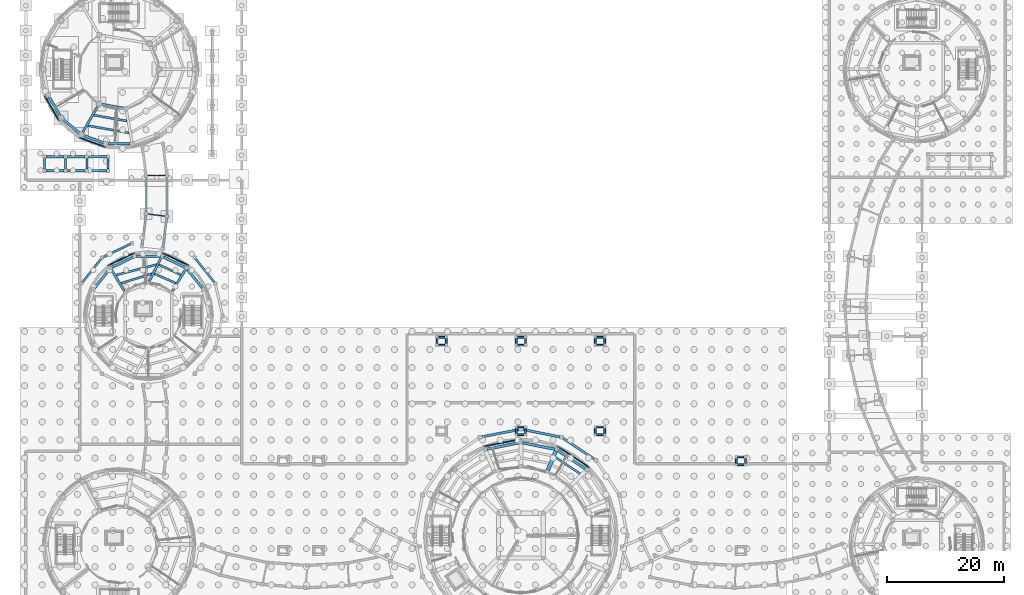
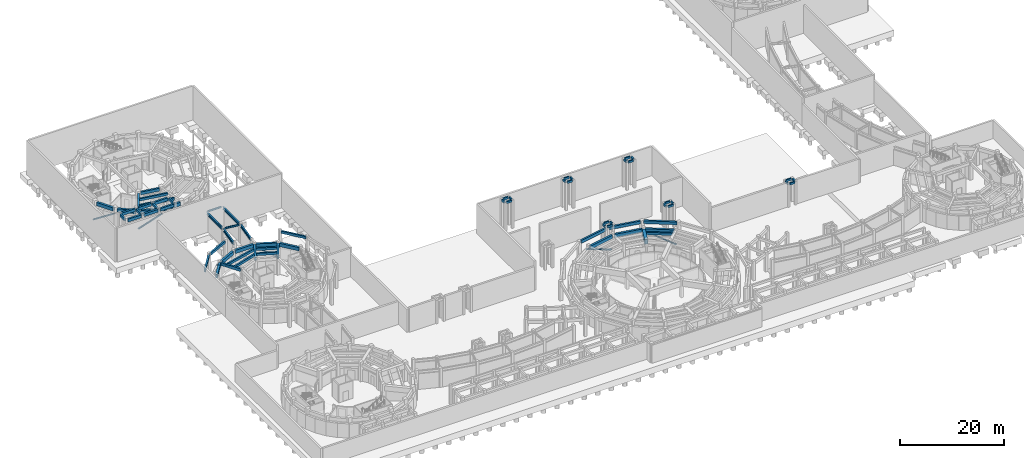
# One storey, part 18 of 57: 71 beams, 6 members.
"""IFC4 building model written with IfcOpenShell, lengths in metres."""

from ifc_helpers import new_model, si_unit, direction, frame, origin, origin_2d, place, context, subcontext, project, spatial, rectangle, i_section, extrude, material, material_profile, profile_set, type_object, element, save


model = new_model("IFC4")

# Units and contexts
model_context = context("Model", 3, precision=1e-05, world=origin(), true_north=direction((0.0, 1.0)))
body_context = subcontext(model_context, "Body", "Model", "MODEL_VIEW")
ifc_project = project(units=[si_unit("LENGTHUNIT", "METRE"), si_unit("AREAUNIT", "SQUARE_METRE"), si_unit("VOLUMEUNIT", "CUBIC_METRE"), si_unit("PLANEANGLEUNIT", "RADIAN"), si_unit("MASSUNIT", "GRAM", prefix="KILO")], contexts=[model_context])

# Site, building, storey
site_placement = place(None, origin())
site = spatial("IfcSite", under=ifc_project, at=site_placement, CompositionType="ELEMENT")
building_placement = place(site_placement, origin())
building = spatial("IfcBuilding", under=site, at=building_placement, Name="Aldenvaro Health Centre", CompositionType="ELEMENT")
storey_placement = place(building_placement, frame((0.0, 0.0, -4.550048828125)))
storey = spatial("IfcBuildingStorey", under=building, at=storey_placement, Name="B1", CompositionType="ELEMENT", Elevation=-4.550048828125)

# Beams
ifc_material_1 = material(Name="Concrete f'c 40 MPa", Category="concrete")
ifc_material_profile_1 = material_profile(ifc_material_1, rectangle(XDim=0.300048828125, YDim=0.47998046875, at=origin_2d()), Name="RC 300x480", Category="concrete")
ifc_profile_set_1 = profile_set([ifc_material_profile_1], Name="Concrete f'c 40 MPa")
beam_type_1 = type_object("IfcBeamType", Name="BM-RC-480", PredefinedType="LINTEL", material=ifc_profile_set_1)
for number, where, z_axis, x_axis, name in (
    (1, (123.925048828125, 32.10009765625, 5.239990234375), (1.0, 0.0, 0.0), (0.0, 1.0, 0.0), "Ramp 3 Landing Beam 1"),
    (2, (125.074951171875, 33.39990234375, 5.239990234375), (-1.0, 0.0, 0.0), (0.0, -1.0, 0.0), "Ramp 3 Landing Beam 2"),
):
    element("IfcBeam", number, at=place(storey_placement, frame(where, z_axis=z_axis, x_axis=x_axis)), inside=storey, type_object=beam_type_1, Name=name, PredefinedType="LINTEL", context=body_context, shape_type="SweptSolid", body=[
        extrude(rectangle(XDim=0.300048828125, YDim=0.47998046875, at=origin_2d()), origin(), (0.0, 0.0, 1.0), 1.14990234375),
    ])
for number, where, z_axis, x_axis, name in (
    (3, (123.699951171875, 32.324951171875, 5.239990234375), (0.0, 1.0, 0.0), (-1.0, 0.0, 0.0), "Ramp 3 Landing Beam 3"),
    (4, (125.300048828125, 32.324951171875, 5.239990234375), (0.0, 1.0, 0.0), (-1.0, 0.0, 0.0), "Ramp 3 Landing Beam 4"),
):
    element("IfcBeam", number, at=place(storey_placement, frame(where, z_axis=z_axis, x_axis=x_axis)), inside=storey, type_object=beam_type_1, Name=name, PredefinedType="LINTEL", context=body_context, shape_type="SweptSolid", body=[
        extrude(rectangle(XDim=0.300048828125, YDim=0.47998046875, at=origin_2d()), origin(), (0.0, 0.0, 1.0), 0.85009765625),
    ])
for number, where, z_axis, x_axis, name in (
    (5, (72.925048828125, 52.5, 6.39013671875), (1.0, 0.0, 0.0), (0.0, 1.0, 0.0), "Ramp 4 Landing Beam 1"),
    (6, (74.074951171875, 53.800048828125, 6.39013671875), (-1.0, 0.0, 0.0), (0.0, -1.0, 0.0), "Ramp 4 Landing Beam 2"),
):
    element("IfcBeam", number, at=place(storey_placement, frame(where, z_axis=z_axis, x_axis=x_axis)), inside=storey, type_object=beam_type_1, Name=name, PredefinedType="LINTEL", context=body_context, shape_type="SweptSolid", body=[
        extrude(rectangle(XDim=0.300048828125, YDim=0.47998046875, at=origin_2d()), origin(), (0.0, 0.0, 1.0), 1.14990234375),
    ])
for number, where, z_axis, x_axis, name in (
    (7, (72.699951171875, 52.72509765625, 6.39013671875), (0.0, 1.0, 0.0), (-1.0, 0.0, 0.0), "Ramp 4 Landing Beam 3"),
    (8, (74.300048828125, 52.72509765625, 6.39013671875), (0.0, 1.0, 0.0), (-1.0, 0.0, 0.0), "Ramp 4 Landing Beam 4"),
):
    element("IfcBeam", number, at=place(storey_placement, frame(where, z_axis=z_axis, x_axis=x_axis)), inside=storey, type_object=beam_type_1, Name=name, PredefinedType="LINTEL", context=body_context, shape_type="SweptSolid", body=[
        extrude(rectangle(XDim=0.300048828125, YDim=0.47998046875, at=origin_2d()), origin(), (0.0, 0.0, 1.0), 0.849853515625),
    ])
for number, where, z_axis, x_axis, name in (
    (9, (99.925048828125, 52.5, 6.39013671875), (1.0, 0.0, 0.0), (0.0, 1.0, 0.0), "Ramp 5 Landing Beam 1"),
    (10, (101.074951171875, 53.800048828125, 6.39013671875), (-1.0, 0.0, 0.0), (0.0, -1.0, 0.0), "Ramp 5 Landing Beam 2"),
):
    element("IfcBeam", number, at=place(storey_placement, frame(where, z_axis=z_axis, x_axis=x_axis)), inside=storey, type_object=beam_type_1, Name=name, PredefinedType="LINTEL", context=body_context, shape_type="SweptSolid", body=[
        extrude(rectangle(XDim=0.300048828125, YDim=0.47998046875, at=origin_2d()), origin(), (0.0, 0.0, 1.0), 1.14990234375),
    ])
for number, where, z_axis, x_axis, name in (
    (11, (99.699951171875, 52.72509765625, 6.39013671875), (0.0, 1.0, 0.0), (-1.0, 0.0, 0.0), "Ramp 5 Landing Beam 3"),
    (12, (101.300048828125, 52.72509765625, 6.39013671875), (0.0, 1.0, 0.0), (-1.0, 0.0, 0.0), "Ramp 5 Landing Beam 4"),
):
    element("IfcBeam", number, at=place(storey_placement, frame(where, z_axis=z_axis, x_axis=x_axis)), inside=storey, type_object=beam_type_1, Name=name, PredefinedType="LINTEL", context=body_context, shape_type="SweptSolid", body=[
        extrude(rectangle(XDim=0.300048828125, YDim=0.47998046875, at=origin_2d()), origin(), (0.0, 0.0, 1.0), 0.849853515625),
    ])
for number, where, z_axis, x_axis, name in (
    (13, (99.925048828125, 37.199951171875, 5.239990234375), (1.0, 0.0, 0.0), (0.0, 1.0, 0.0), "Ramp 5 Departure Beam 1"),
    (14, (101.074951171875, 38.5, 5.239990234375), (-1.0, 0.0, 0.0), (0.0, -1.0, 0.0), "Ramp 5 Departure Beam 2"),
):
    element("IfcBeam", number, at=place(storey_placement, frame(where, z_axis=z_axis, x_axis=x_axis)), inside=storey, type_object=beam_type_1, Name=name, PredefinedType="LINTEL", context=body_context, shape_type="SweptSolid", body=[
        extrude(rectangle(XDim=0.300048828125, YDim=0.47998046875, at=origin_2d()), origin(), (0.0, 0.0, 1.0), 1.14990234375),
    ])
for number, where, z_axis, x_axis, name in (
    (15, (99.699951171875, 37.425048828125, 5.239990234375), (0.0, 1.0, 0.0), (-1.0, 0.0, 0.0), "Ramp 5 Departure Beam 3"),
    (16, (101.300048828125, 37.425048828125, 5.239990234375), (0.0, 1.0, 0.0), (-1.0, 0.0, 0.0), "Ramp 5 Departure Beam 4"),
):
    element("IfcBeam", number, at=place(storey_placement, frame(where, z_axis=z_axis, x_axis=x_axis)), inside=storey, type_object=beam_type_1, Name=name, PredefinedType="LINTEL", context=body_context, shape_type="SweptSolid", body=[
        extrude(rectangle(XDim=0.300048828125, YDim=0.47998046875, at=origin_2d()), origin(), (0.0, 0.0, 1.0), 0.849853515625),
    ])
for number, where, z_axis, x_axis, name in (
    (17, (86.425048828125, 52.5, 6.39013671875), (1.0, 0.0, 0.0), (0.0, 1.0, 0.0), "Ramp 6 Landing Beam 1"),
    (18, (87.574951171875, 53.800048828125, 6.39013671875), (-1.0, 0.0, 0.0), (0.0, -1.0, 0.0), "Ramp 6 Landing Beam 2"),
):
    element("IfcBeam", number, at=place(storey_placement, frame(where, z_axis=z_axis, x_axis=x_axis)), inside=storey, type_object=beam_type_1, Name=name, PredefinedType="LINTEL", context=body_context, shape_type="SweptSolid", body=[
        extrude(rectangle(XDim=0.300048828125, YDim=0.47998046875, at=origin_2d()), origin(), (0.0, 0.0, 1.0), 1.14990234375),
    ])
for number, where, z_axis, x_axis, name in (
    (19, (86.199951171875, 52.72509765625, 6.39013671875), (0.0, 1.0, 0.0), (-1.0, 0.0, 0.0), "Ramp 6 Landing Beam 3"),
    (20, (87.800048828125, 52.72509765625, 6.39013671875), (0.0, 1.0, 0.0), (-1.0, 0.0, 0.0), "Ramp 6 Landing Beam 4"),
):
    element("IfcBeam", number, at=place(storey_placement, frame(where, z_axis=z_axis, x_axis=x_axis)), inside=storey, type_object=beam_type_1, Name=name, PredefinedType="LINTEL", context=body_context, shape_type="SweptSolid", body=[
        extrude(rectangle(XDim=0.300048828125, YDim=0.47998046875, at=origin_2d()), origin(), (0.0, 0.0, 1.0), 0.849853515625),
    ])
for number, where, z_axis, x_axis, name in (
    (21, (86.425048828125, 37.199951171875, 5.239990234375), (1.0, 0.0, 0.0), (0.0, 1.0, 0.0), "Ramp 6 Departure Beam 1"),
    (22, (87.574951171875, 38.5, 5.239990234375), (-1.0, 0.0, 0.0), (0.0, -1.0, 0.0), "Ramp 6 Departure Beam 2"),
):
    element("IfcBeam", number, at=place(storey_placement, frame(where, z_axis=z_axis, x_axis=x_axis)), inside=storey, type_object=beam_type_1, Name=name, PredefinedType="LINTEL", context=body_context, shape_type="SweptSolid", body=[
        extrude(rectangle(XDim=0.300048828125, YDim=0.47998046875, at=origin_2d()), origin(), (0.0, 0.0, 1.0), 1.14990234375),
    ])
for number, where, z_axis, x_axis, name in (
    (23, (86.199951171875, 37.425048828125, 5.239990234375), (0.0, 1.0, 0.0), (-1.0, 0.0, 0.0), "Ramp 6 Departure Beam 3"),
    (24, (87.800048828125, 37.425048828125, 5.239990234375), (0.0, 1.0, 0.0), (-1.0, 0.0, 0.0), "Ramp 6 Departure Beam 4"),
):
    element("IfcBeam", number, at=place(storey_placement, frame(where, z_axis=z_axis, x_axis=x_axis)), inside=storey, type_object=beam_type_1, Name=name, PredefinedType="LINTEL", context=body_context, shape_type="SweptSolid", body=[
        extrude(rectangle(XDim=0.300048828125, YDim=0.47998046875, at=origin_2d()), origin(), (0.0, 0.0, 1.0), 0.849853515625),
    ])
ifc_material_profile_2 = material_profile(ifc_material_1, rectangle(XDim=0.35009765625, YDim=0.56005859375, at=origin_2d()), Name="RC 350x560", Category="concrete")
ifc_profile_set_2 = profile_set([ifc_material_profile_2], Name="Concrete f'c 40 MPa")
beam_type_2 = type_object("IfcBeamType", Name="BM-RC-560", PredefinedType="JOIST", material=ifc_profile_set_2)
beam_1_placement = place(storey_placement, frame((97.096923828125, 30.548095703125, 3.85498046875), z_axis=(-0.831472030531, 0.555566613868, 0.0), x_axis=(-0.555566613868, -0.831472030531, 0.0)))
element("IfcBeam", 25, at=beam_1_placement, inside=storey, type_object=beam_type_2, Name="D1 B1 secondary joist 02.2", PredefinedType="JOIST", context=body_context, shape_type="SweptSolid", body=[
    extrude(rectangle(XDim=0.35009765625, YDim=0.56005859375, at=origin_2d()), origin(), (0.0, 0.0, 1.0), 5.0703125),
])
beam_2_placement = place(storey_placement, frame((28.180908203125, 63.035888671875, 3.85498046875), z_axis=(-0.915495637706, 0.402327897791, 0.0), x_axis=(-0.402327897791, -0.915495637706, 0.0)))
element("IfcBeam", 26, at=beam_2_placement, inside=storey, type_object=beam_type_2, Name="D3 B1 secondary joist 01.1", PredefinedType="JOIST", context=body_context, shape_type="SweptSolid", body=[
    extrude(rectangle(XDim=0.35009765625, YDim=0.56005859375, at=origin_2d()), origin(), (0.0, 0.0, 1.0), 4.00439453125),
])
beam_3_placement = place(storey_placement, frame((29.037109375, 64.451904296875, 3.85498046875), z_axis=(-0.90770241164, 0.419614503924, 0.0), x_axis=(-0.419614503924, -0.90770241164, 0.0)))
element("IfcBeam", 27, at=beam_3_placement, inside=storey, type_object=beam_type_2, Name="D3 B1 secondary joist 01.2", PredefinedType="JOIST", context=body_context, shape_type="SweptSolid", body=[
    extrude(rectangle(XDim=0.35009765625, YDim=0.56005859375, at=origin_2d()), origin(), (0.0, 0.0, 1.0), 4.1181640625),
])
beam_4_placement = place(storey_placement, frame((24.14111328125, 64.66796875, 3.85498046875), z_axis=(-0.954868665871, -0.297028333561, 0.0), x_axis=(0.297028333561, -0.954868665871, 0.0)))
element("IfcBeam", 28, at=beam_4_placement, inside=storey, type_object=beam_type_2, Name="D3 B1 secondary joist 02.1", PredefinedType="JOIST", context=body_context, shape_type="SweptSolid", body=[
    extrude(rectangle(XDim=0.35009765625, YDim=0.56005859375, at=origin_2d()), origin(), (0.0, 0.0, 1.0), 5.5654296875),
])
beam_5_placement = place(storey_placement, frame((24.923095703125, 66.214111328125, 3.85498046875), z_axis=(-0.968205324871, -0.250156848581, 0.0), x_axis=(0.250156848581, -0.968205324871, 0.0)))
element("IfcBeam", 29, at=beam_5_placement, inside=storey, type_object=beam_type_2, Name="D3 B1 secondary joist 02.2", PredefinedType="JOIST", context=body_context, shape_type="SweptSolid", body=[
    extrude(rectangle(XDim=0.35009765625, YDim=0.56005859375, at=origin_2d()), origin(), (0.0, 0.0, 1.0), 7.17626953125),
])
beam_6_placement = place(storey_placement, frame((14.202880859375, 91.680908203125, 3.8681640625), z_axis=(0.984783558818, -0.173785333909, 0.0), x_axis=(0.173785333909, 0.984783558818, 0.0)))
element("IfcBeam", 30, at=beam_6_placement, inside=storey, type_object=beam_type_2, Name="D4 B1 secondary joist 04.1", PredefinedType="JOIST", context=body_context, shape_type="SweptSolid", body=[
    extrude(rectangle(XDim=0.35009765625, YDim=0.56005859375, at=origin_2d()), origin(), (0.0, 0.0, 1.0), 5.74853515625),
])
beam_7_placement = place(storey_placement, frame((13.1689453125, 89.89111328125, 3.8681640625), z_axis=(0.984799681746, -0.173693945875, 0.0), x_axis=(0.173693945875, 0.984799681746, 0.0)))
element("IfcBeam", 31, at=beam_7_placement, inside=storey, type_object=beam_type_2, Name="D4 B1 secondary joist 04.2", PredefinedType="JOIST", context=body_context, shape_type="SweptSolid", body=[
    extrude(rectangle(XDim=0.35009765625, YDim=0.56005859375, at=origin_2d()), origin(), (0.0, 0.0, 1.0), 7.162841796875),
])
for number, where, z_axis, x_axis, name in (
    (32, (5.800048828125, 82.47509765625, 7.650146484375), (0.0, 1.0, 0.0), (-1.0, 0.0, 0.0), "Bastion Portico N4 Terrace Tie 1"),
    (33, (9.39990234375, 82.47509765625, 7.650146484375), (0.0, 1.0, 0.0), (-1.0, 0.0, 0.0), "Bastion Portico N4 Terrace Tie 2"),
    (34, (13.0, 82.47509765625, 7.650146484375), (0.0, 1.0, 0.0), (-1.0, 0.0, 0.0), "Bastion Portico N4 Terrace Tie 3"),
    (35, (16.60009765625, 82.47509765625, 7.650146484375), (0.0, 1.0, 0.0), (-1.0, 0.0, 0.0), "Bastion Portico N4 Terrace Tie 4"),
):
    element("IfcBeam", number, at=place(storey_placement, frame(where, z_axis=z_axis, x_axis=x_axis)), inside=storey, type_object=beam_type_2, Name=name, PredefinedType="JOIST", context=body_context, shape_type="SweptSolid", body=[
        extrude(rectangle(XDim=0.35009765625, YDim=0.56005859375, at=origin_2d()), origin(), (0.0, 0.0, 1.0), 1.849853515625),
    ])
beam_8_placement = place(storey_placement, frame((34.760009765625, 63.160888671875, 5.10009765625), z_axis=(-0.623564197112, 0.781772148442, 0.0), x_axis=(-0.781772148442, -0.623564197112, 0.0)))
element("IfcBeam", 36, at=beam_8_placement, inside=storey, type_object=beam_type_2, Name="Garden Pavilion Peristyle Plinth Tie 02", PredefinedType="JOIST", context=body_context, shape_type="SweptSolid", body=[
    extrude(rectangle(XDim=0.35009765625, YDim=0.56005859375, at=origin_2d()), origin(), (0.0, 0.0, 1.0), 5.189697265625),
])
beam_9_placement = place(storey_placement, frame((20.487060546875, 69.738037109375, 5.10009765625), z_axis=(-0.900887923887, -0.434051781007, 0.0), x_axis=(0.434051781007, -0.900887923887, 0.0)))
element("IfcBeam", 37, at=beam_9_placement, inside=storey, type_object=beam_type_2, Name="Garden Pavilion Peristyle Plinth Tie 05", PredefinedType="JOIST", context=body_context, shape_type="SweptSolid", body=[
    extrude(rectangle(XDim=0.35009765625, YDim=0.56005859375, at=origin_2d()), origin(), (0.0, 0.0, 1.0), 5.1904296875),
])
beam_10_placement = place(storey_placement, frame((15.47607421875, 67.218017578125, 5.10009765625), z_axis=(-0.623564197112, -0.781772148442, 0.0), x_axis=(0.781772148442, -0.623564197112, 0.0)))
element("IfcBeam", 38, at=beam_10_placement, inside=storey, type_object=beam_type_2, Name="Garden Pavilion Peristyle Plinth Tie 06", PredefinedType="JOIST", context=body_context, shape_type="SweptSolid", body=[
    extrude(rectangle(XDim=0.35009765625, YDim=0.56005859375, at=origin_2d()), origin(), (0.0, 0.0, 1.0), 5.189697265625),
])
ifc_material_profile_3 = material_profile(ifc_material_1, rectangle(XDim=0.39990234375, YDim=0.679931640625, at=origin_2d()), Name="RC 400x680", Category="concrete")
ifc_profile_set_3 = profile_set([ifc_material_profile_3], Name="Concrete f'c 40 MPa")
beam_type_3 = type_object("IfcBeamType", Name="BM-RC-680", PredefinedType="BEAM", material=ifc_profile_set_3)
beam_11_placement = place(storey_placement, frame((27.60205078125, 61.695068359375, 3.795166015625), z_axis=(0.517419338909, 0.855731983581, 0.0), x_axis=(-0.855731983581, 0.517419338909, 0.0)))
element("IfcBeam", 39, at=beam_11_placement, inside=storey, type_object=beam_type_3, Name="D3 B1 radial beam 01", PredefinedType="BEAM", context=body_context, shape_type="SweptSolid", body=[
    extrude(rectangle(XDim=0.39990234375, YDim=0.679931640625, at=origin_2d()), origin(), (0.0, 0.0, 1.0), 4.30615234375),
])
beam_12_placement = place(storey_placement, frame((23.625, 63.344970703125, 3.795166015625), z_axis=(0.455157629571, 0.890410878327, 0.0), x_axis=(-0.890410878327, 0.455157629571, 0.0)))
element("IfcBeam", 40, at=beam_12_placement, inside=storey, type_object=beam_type_3, Name="D3 B1 radial beam 02", PredefinedType="BEAM", context=body_context, shape_type="SweptSolid", body=[
    extrude(rectangle(XDim=0.39990234375, YDim=0.679931640625, at=origin_2d()), origin(), (0.0, 0.0, 1.0), 4.526123046875),
])
beam_13_placement = place(storey_placement, frame((19.39794921875, 61.695068359375, 3.795166015625), z_axis=(-0.517419338909, 0.855731983581, 0.0), x_axis=(-0.855731983581, -0.517419338909, 0.0)))
element("IfcBeam", 41, at=beam_13_placement, inside=storey, type_object=beam_type_3, Name="D3 B1 radial beam 03", PredefinedType="BEAM", context=body_context, shape_type="SweptSolid", body=[
    extrude(rectangle(XDim=0.39990234375, YDim=0.679931640625, at=origin_2d()), origin(), (0.0, 0.0, 1.0), 4.30615234375),
])
beam_14_placement = place(storey_placement, frame((15.468994140625, 93.5458984375, 3.80810546875), z_axis=(0.984792375049, -0.173735367862, 0.0), x_axis=(0.173735367862, 0.984792375049, 0.0)))
element("IfcBeam", 42, at=beam_14_placement, inside=storey, type_object=beam_type_3, Name="D4 B1 inner ring beam 04", PredefinedType="BEAM", context=body_context, shape_type="SweptSolid", body=[
    extrude(rectangle(XDim=0.39990234375, YDim=0.679931640625, at=origin_2d()), origin(), (0.0, 0.0, 1.0), 3.90234375),
])
beam_15_placement = place(storey_placement, frame((14.912109375, 93.285888671875, 3.80810546875), z_axis=(-0.499943228252, -0.866058178487, 0.0), x_axis=(0.866058178487, -0.499943228252, 0.0)))
element("IfcBeam", 43, at=beam_15_placement, inside=storey, type_object=beam_type_3, Name="D4 B1 radial beam 04", PredefinedType="BEAM", context=body_context, shape_type="SweptSolid", body=[
    extrude(rectangle(XDim=0.39990234375, YDim=0.679931640625, at=origin_2d()), origin(), (0.0, 0.0, 1.0), 5.32861328125),
])
for number, where, z_axis, x_axis, name in (
    (44, (6.074951171875, 82.199951171875, 7.60009765625), (1.0, 0.0, 0.0), (0.0, 1.0, 0.0), "Bastion Portico N4 Terrace Beam 1.1"),
    (45, (6.074951171875, 84.60009765625, 7.60009765625), (1.0, 0.0, 0.0), (0.0, 1.0, 0.0), "Bastion Portico N4 Terrace Beam 1.2"),
    (46, (9.675048828125, 82.199951171875, 7.60009765625), (1.0, 0.0, 0.0), (0.0, 1.0, 0.0), "Bastion Portico N4 Terrace Beam 2.1"),
    (47, (9.675048828125, 84.60009765625, 7.60009765625), (1.0, 0.0, 0.0), (0.0, 1.0, 0.0), "Bastion Portico N4 Terrace Beam 2.2"),
    (48, (13.27490234375, 82.199951171875, 7.60009765625), (1.0, 0.0, 0.0), (0.0, 1.0, 0.0), "Bastion Portico N4 Terrace Beam 3.1"),
    (49, (13.27490234375, 84.60009765625, 7.60009765625), (1.0, 0.0, 0.0), (0.0, 1.0, 0.0), "Bastion Portico N4 Terrace Beam 3.2"),
):
    element("IfcBeam", number, at=place(storey_placement, frame(where, z_axis=z_axis, x_axis=x_axis)), inside=storey, type_object=beam_type_3, Name=name, PredefinedType="BEAM", context=body_context, shape_type="SweptSolid", body=[
        extrude(rectangle(XDim=0.39990234375, YDim=0.679931640625, at=origin_2d()), origin(), (0.0, 0.0, 1.0), 3.050048828125),
    ])
beam_16_placement = place(storey_placement, frame((99.54296875, 33.028076171875, 4.090087890625), z_axis=(-0.831425894818, 0.555635655286, 0.0), x_axis=(-0.555635655286, -0.831425894818, 0.0)))
element("IfcBeam", 50, at=beam_16_placement, inside=storey, type_object=beam_type_3, Name="Waiting Rotunda Peristyle Grade Ring 03", PredefinedType="BEAM", context=body_context, shape_type="SweptSolid", body=[
    extrude(rectangle(XDim=0.39990234375, YDim=0.679931640625, at=origin_2d()), origin(), (0.0, 0.0, 1.0), 6.381591796875),
])
for number, where, z_axis, x_axis, name in (
    (51, (93.60302734375, 36.8359375, 4.090087890625), (-0.980758279568, 0.195226015324, 0.0), (-0.195226015324, -0.980758279568, 0.0), "Waiting Rotunda Peristyle Grade Ring 04"),
    (52, (86.656982421875, 38.08203125, 4.090087890625), (-0.980758279568, -0.195226015324, 0.0), (0.195226015324, -0.980758279568, 0.0), "Waiting Rotunda Peristyle Grade Ring 05"),
):
    element("IfcBeam", number, at=place(storey_placement, frame(where, z_axis=z_axis, x_axis=x_axis)), inside=storey, type_object=beam_type_3, Name=name, PredefinedType="BEAM", context=body_context, shape_type="SweptSolid", body=[
        extrude(rectangle(XDim=0.39990234375, YDim=0.679931640625, at=origin_2d()), origin(), (0.0, 0.0, 1.0), 6.3828125),
    ])
ifc_material_profile_4 = material_profile(ifc_material_1, rectangle(XDim=0.449951171875, YDim=0.800048828125, at=origin_2d()), Name="RC 450x800", Category="concrete")
ifc_profile_set_4 = profile_set([ifc_material_profile_4], Name="Concrete f'c 40 MPa")
beam_type_4 = type_object("IfcBeamType", Name="BM-RC-800I", PredefinedType="SPANDREL", material=ifc_profile_set_4)
for number, where, z_axis, x_axis, name in (
    (53, (98.0, 31.382080078125, 3.735107421875), (-0.831510976897, 0.55550832154, 0.0), (-0.55550832154, -0.831510976897, 0.0), "D1 B1 perimeter spandrel 03"),
    (54, (92.806884765625, 34.72509765625, 3.735107421875), (-0.98080293174, 0.195001561763, 0.0), (-0.195001561763, -0.98080293174, 0.0), "D1 B1 perimeter spandrel 04"),
    (55, (86.72998046875, 35.825927734375, 3.735107421875), (-0.98080293174, -0.195001561763, 0.0), (0.195001561763, -0.98080293174, 0.0), "D1 B1 perimeter spandrel 05"),
):
    element("IfcBeam", number, at=place(storey_placement, frame(where, z_axis=z_axis, x_axis=x_axis)), inside=storey, type_object=beam_type_4, Name=name, PredefinedType="SPANDREL", context=body_context, shape_type="SweptSolid", body=[
        extrude(rectangle(XDim=0.449951171875, YDim=0.800048828125, at=origin_2d()), origin(), (0.0, 0.0, 1.0), 5.645263671875),
    ])
beam_17_placement = place(storey_placement, frame((32.680908203125, 62.218994140625, 3.735107421875), z_axis=(-0.623662856495, 0.781693444663, 0.0), x_axis=(-0.781693444663, -0.623662856495, 0.0)))
element("IfcBeam", 56, at=beam_17_placement, inside=storey, type_object=beam_type_4, Name="D3 B1 perimeter spandrel 02", PredefinedType="SPANDREL", context=body_context, shape_type="SweptSolid", body=[
    extrude(rectangle(XDim=0.449951171875, YDim=0.800048828125, at=origin_2d()), origin(), (0.0, 0.0, 1.0), 4.0693359375),
])
beam_18_placement = place(storey_placement, frame((29.72412109375, 65.73388671875, 3.735107421875), z_axis=(-0.900812260888, 0.434208786914, 0.0), x_axis=(-0.434208786914, -0.900812260888, 0.0)))
element("IfcBeam", 57, at=beam_18_placement, inside=storey, type_object=beam_type_4, Name="D3 B1 perimeter spandrel 03", PredefinedType="SPANDREL", context=body_context, shape_type="SweptSolid", body=[
    extrude(rectangle(XDim=0.449951171875, YDim=0.800048828125, at=origin_2d()), origin(), (0.0, 0.0, 1.0), 4.069580078125),
])
beam_19_placement = place(storey_placement, frame((25.534912109375, 67.6201171875, 3.735107421875), z_axis=(-1.0, 0.0, 0.0), x_axis=(0.0, -1.0, 0.0)))
element("IfcBeam", 58, at=beam_19_placement, inside=storey, type_object=beam_type_4, Name="D3 B1 perimeter spandrel 04", PredefinedType="SPANDREL", context=body_context, shape_type="SweptSolid", body=[
    extrude(rectangle(XDim=0.449951171875, YDim=0.800048828125, at=origin_2d()), origin(), (0.0, 0.0, 1.0), 4.06982421875),
])
beam_20_placement = place(storey_placement, frame((20.94189453125, 67.5009765625, 3.735107421875), z_axis=(-0.900812260888, -0.434208786914, 0.0), x_axis=(0.434208786914, -0.900812260888, 0.0)))
element("IfcBeam", 59, at=beam_20_placement, inside=storey, type_object=beam_type_4, Name="D3 B1 perimeter spandrel 05", PredefinedType="SPANDREL", context=body_context, shape_type="SweptSolid", body=[
    extrude(rectangle(XDim=0.449951171875, YDim=0.800048828125, at=origin_2d()), origin(), (0.0, 0.0, 1.0), 4.069580078125),
])
beam_21_placement = place(storey_placement, frame((16.85693359375, 65.39990234375, 3.735107421875), z_axis=(-0.623662856495, -0.781693444663, 0.0), x_axis=(0.781693444663, -0.623662856495, 0.0)))
element("IfcBeam", 60, at=beam_21_placement, inside=storey, type_object=beam_type_4, Name="D3 B1 perimeter spandrel 06", PredefinedType="SPANDREL", context=body_context, shape_type="SweptSolid", body=[
    extrude(rectangle(XDim=0.449951171875, YDim=0.800048828125, at=origin_2d()), origin(), (0.0, 0.0, 1.0), 4.0693359375),
])
beam_22_placement = place(storey_placement, frame((6.583984375, 94.77001953125, 3.748046875), z_axis=(0.500123550989, -0.865954059836, 0.0), x_axis=(0.865954059836, 0.500123550989, 0.0)))
element("IfcBeam", 61, at=beam_22_placement, inside=storey, type_object=beam_type_4, Name="D4 B1 perimeter spandrel 11", PredefinedType="SPANDREL", context=body_context, shape_type="SweptSolid", body=[
    extrude(rectangle(XDim=0.449951171875, YDim=0.800048828125, at=origin_2d()), origin(), (0.0, 0.0, 1.0), 3.72314453125),
])
beam_23_placement = place(storey_placement, frame((8.919921875, 90.97998046875, 3.748046875), z_axis=(0.766164468339, -0.642644542072, 0.0), x_axis=(0.642644542072, 0.766164468339, 0.0)))
element("IfcBeam", 62, at=beam_23_placement, inside=storey, type_object=beam_type_4, Name="D4 B1 perimeter spandrel 12", PredefinedType="SPANDREL", context=body_context, shape_type="SweptSolid", body=[
    extrude(rectangle(XDim=0.449951171875, YDim=0.800048828125, at=origin_2d()), origin(), (0.0, 0.0, 1.0), 3.723876953125),
])
beam_24_placement = place(storey_placement, frame((12.412109375, 88.218017578125, 3.748046875), z_axis=(0.939651678076, -0.342132611555, 0.0), x_axis=(0.342132611555, 0.939651678076, 0.0)))
element("IfcBeam", 63, at=beam_24_placement, inside=storey, type_object=beam_type_4, Name="D4 B1 perimeter spandrel 13", PredefinedType="SPANDREL", context=body_context, shape_type="SweptSolid", body=[
    extrude(rectangle(XDim=0.449951171875, YDim=0.800048828125, at=origin_2d()), origin(), (0.0, 0.0, 1.0), 3.723388671875),
])
beam_25_placement = place(storey_placement, frame((16.637939453125, 86.81591796875, 3.748046875), z_axis=(1.0, 0.0, 0.0), x_axis=(0.0, 1.0, 0.0)))
element("IfcBeam", 64, at=beam_25_placement, inside=storey, type_object=beam_type_4, Name="D4 B1 perimeter spandrel 14", PredefinedType="SPANDREL", context=body_context, shape_type="SweptSolid", body=[
    extrude(rectangle(XDim=0.449951171875, YDim=0.800048828125, at=origin_2d()), origin(), (0.0, 0.0, 1.0), 3.72412109375),
])
ifc_material_profile_5 = material_profile(ifc_material_1, rectangle(XDim=0.64990234375, YDim=1.14990234375, at=origin_2d()), Name="RC 650x1150", Category="concrete")
ifc_profile_set_5 = profile_set([ifc_material_profile_5], Name="Concrete f'c 40 MPa")
beam_type_5 = type_object("IfcBeamType", Name="BM-RC-TG1150", PredefinedType="BEAM", material=ifc_profile_set_5)
beam_26_placement = place(storey_placement, frame((91.6279296875, 31.174072265625, 3.56005859375), z_axis=(0.382861588235, 0.923805717808, 0.0), x_axis=(-0.923805717808, 0.382861588235, 0.0)))
element("IfcBeam", 65, at=beam_26_placement, inside=storey, type_object=beam_type_5, Name="D1 B1 radial beam 03", PredefinedType="BEAM", context=body_context, shape_type="SweptSolid", body=[
    extrude(rectangle(XDim=0.64990234375, YDim=1.14990234375, at=origin_2d()), origin(), (0.0, 0.0, 1.0), 3.510498046875),
])
ifc_material_2 = material(Name="Steel ASTM A992 Grade 50", Category="steel")
ifc_material_profile_6 = material_profile(ifc_material_2, i_section(OverallWidth=0.180908203125, OverallDepth=0.4169921875, WebThickness=0.010986328125, FlangeThickness=0.018310546875, at=origin_2d()), Name="W16X57", Category="steel")
ifc_profile_set_6 = profile_set([ifc_material_profile_6], Name="Steel ASTM A992 Grade 50")
beam_type_6 = type_object("IfcBeamType", Name="BM-ST-W16", PredefinedType="JOIST", material=ifc_profile_set_6)
beam_27_placement = place(storey_placement, frame((23.381103515625, 74.837890625, 4.136962890625), z_axis=(0.991789992039, -0.127877330638, 0.0), x_axis=(0.127877330638, 0.991789992039, 0.0)))
element("IfcBeam", 66, at=beam_27_placement, inside=storey, type_object=beam_type_6, Name="West North Curved Garden Walkway Arc 1 B1 cross beam 2", PredefinedType="JOIST", context=body_context, shape_type="SweptSolid", body=[
    extrude(i_section(OverallWidth=0.180908203125, OverallDepth=0.4169921875, WebThickness=0.010986328125, FlangeThickness=0.018310546875, at=origin_2d()), origin(), (0.0, 0.0, 1.0), 3.049072265625),
])
beam_28_placement = place(storey_placement, frame((23.367919921875, 81.35693359375, 4.136962890625), z_axis=(1.0, 0.0, 0.0), x_axis=(0.0, 1.0, 0.0)))
element("IfcBeam", 67, at=beam_28_placement, inside=storey, type_object=beam_type_6, Name="West North Curved Garden Walkway Arc 2 B1 cross beam 2", PredefinedType="JOIST", context=body_context, shape_type="SweptSolid", body=[
    extrude(i_section(OverallWidth=0.180908203125, OverallDepth=0.4169921875, WebThickness=0.010986328125, FlangeThickness=0.018310546875, at=origin_2d()), origin(), (0.0, 0.0, 1.0), 3.050048828125),
])
ifc_material_profile_7 = material_profile(ifc_material_2, i_section(OverallWidth=0.326904296875, OverallDepth=0.6220703125, WebThickness=0.015380859375, FlangeThickness=0.0244140625, at=origin_2d()), Name="W24X131", Category="steel")
ifc_profile_set_7 = profile_set([ifc_material_profile_7], Name="Steel ASTM A992 Grade 50")
beam_type_7 = type_object("IfcBeamType", Name="BM-ST-W24", PredefinedType="BEAM", material=ifc_profile_set_7)
for number, where, z_axis, x_axis, name in (
    (68, (22.430908203125, 69.6201171875, 4.033935546875), (0.127875685698, 0.99179020413, 0.0), (-0.99179020413, 0.127875685698, 0.0), "West North Curved Garden Walkway Arc 1 B1 girder L-1"),
    (69, (26.0009765625, 69.159912109375, 4.033935546875), (0.127875685698, 0.99179020413, 0.0), (-0.99179020413, 0.127875685698, 0.0), "West North Curved Garden Walkway Arc 1 B1 girder R-1"),
):
    element("IfcBeam", number, at=place(storey_placement, frame(where, z_axis=z_axis, x_axis=x_axis)), inside=storey, type_object=beam_type_7, Name=name, PredefinedType="BEAM", context=body_context, shape_type="SweptSolid", body=[
        extrude(i_section(OverallWidth=0.326904296875, OverallDepth=0.6220703125, WebThickness=0.015380859375, FlangeThickness=0.0244140625, at=origin_2d()), origin(), (0.0, 0.0, 1.0), 5.021240234375),
    ])
beam_29_placement = place(storey_placement, frame((23.10693359375, 75.14794921875, 4.033935546875), z_axis=(-0.002180526372, 0.99999762265, 0.0), x_axis=(-0.99999762265, -0.002180526372, 0.0)))
element("IfcBeam", 70, at=beam_29_placement, inside=storey, type_object=beam_type_7, Name="West North Curved Garden Walkway Arc 2 B1 girder L-1", PredefinedType="BEAM", context=body_context, shape_type="SweptSolid", body=[
    extrude(i_section(OverallWidth=0.326904296875, OverallDepth=0.6220703125, WebThickness=0.015380859375, FlangeThickness=0.0244140625, at=origin_2d()), origin(), (0.0, 0.0, 1.0), 5.93408203125),
])
beam_30_placement = place(storey_placement, frame((26.678955078125, 74.68798828125, 4.033935546875), z_axis=(0.002023669014, 0.99999795238, 0.0), x_axis=(-0.99999795238, 0.002023669014, 0.0)))
element("IfcBeam", 71, at=beam_30_placement, inside=storey, type_object=beam_type_7, Name="West North Curved Garden Walkway Arc 2 B1 girder R-1", PredefinedType="BEAM", context=body_context, shape_type="SweptSolid", body=[
    extrude(i_section(OverallWidth=0.326904296875, OverallDepth=0.6220703125, WebThickness=0.015380859375, FlangeThickness=0.0244140625, at=origin_2d()), origin(), (0.0, 0.0, 1.0), 6.39404296875),
])

# Members
ifc_material_3 = material(Name="Glulam GL28h", Category="wood")
ifc_material_profile_8 = material_profile(ifc_material_3, rectangle(XDim=0.175048828125, YDim=0.26611328125, at=origin_2d()), Name="GL 175x266", Category="wood")
ifc_profile_set_8 = profile_set([ifc_material_profile_8], Name="Glulam GL28h")
member_type = type_object("IfcMemberType", Name="MEM-BR-266", PredefinedType="BRACE", material=ifc_profile_set_8)
member_1_placement = place(storey_placement, frame((98.6220703125, 31.64990234375, 0.16015625), z_axis=(-0.751757968049, 0.502405654086, 0.427139925805), x_axis=(-0.555644426945, -0.831420032718, 0.0)))
element("IfcMember", 72, at=member_1_placement, inside=storey, type_object=member_type, Name="D1 B1 timber brace 3", PredefinedType="BRACE", context=body_context, shape_type="SweptSolid", body=[
    extrude(rectangle(XDim=0.175048828125, YDim=0.26611328125, at=origin_2d()), origin(), (0.0, 0.0, 1.0), 7.058349609375),
])
member_2_placement = place(storey_placement, frame((86.97998046875, 36.4560546875, 0.16015625), z_axis=(-0.886799592716, -0.176412135697, 0.427159502689), x_axis=(0.195108120058, -0.980781739985, 0.0)))
element("IfcMember", 73, at=member_2_placement, inside=storey, type_object=member_type, Name="D1 B1 timber brace 5", PredefinedType="BRACE", context=body_context, shape_type="SweptSolid", body=[
    extrude(rectangle(XDim=0.175048828125, YDim=0.26611328125, at=origin_2d()), origin(), (0.0, 0.0, 1.0), 7.05810546875),
])
for number, where, z_axis, x_axis, name in (
    (74, (30.31494140625, 66.077880859375, 0.16015625), (-0.764626030702, 0.368134235734, 0.528984137431), (-0.433797406574, -0.901010438369, 0.0), "D3 B1 timber brace 3"),
    (75, (21.04296875, 68.176025390625, 0.16015625), (-0.764626030702, -0.368134235734, 0.528984137431), (0.433797406574, -0.901010438369, 0.0), "D3 B1 timber brace 5"),
):
    element("IfcMember", number, at=place(storey_placement, frame(where, z_axis=z_axis, x_axis=x_axis)), inside=storey, type_object=member_type, Name=name, PredefinedType="BRACE", context=body_context, shape_type="SweptSolid", body=[
        extrude(rectangle(XDim=0.175048828125, YDim=0.26611328125, at=origin_2d()), origin(), (0.0, 0.0, 1.0), 5.699462890625),
    ])
for number, where, z_axis, x_axis, name in (
    (76, (5.862060546875, 94.87890625, 0.16015625), (0.418514234317, -0.72505716822, 0.546935040464), (0.866075941565, 0.499912455778, 0.0), "D4 B1 timber brace 11"),
    (77, (11.7890625, 87.8359375, 0.16015625), (0.786685737755, -0.286308095611, 0.546949014443), (0.341996836208, 0.939701103556, 0.0), "D4 B1 timber brace 13"),
):
    element("IfcMember", number, at=place(storey_placement, frame(where, z_axis=z_axis, x_axis=x_axis)), inside=storey, type_object=member_type, Name=name, PredefinedType="BRACE", context=body_context, shape_type="SweptSolid", body=[
        extrude(rectangle(XDim=0.175048828125, YDim=0.26611328125, at=origin_2d()), origin(), (0.0, 0.0, 1.0), 5.535888671875),
    ])

save(model, "model.ifc")
